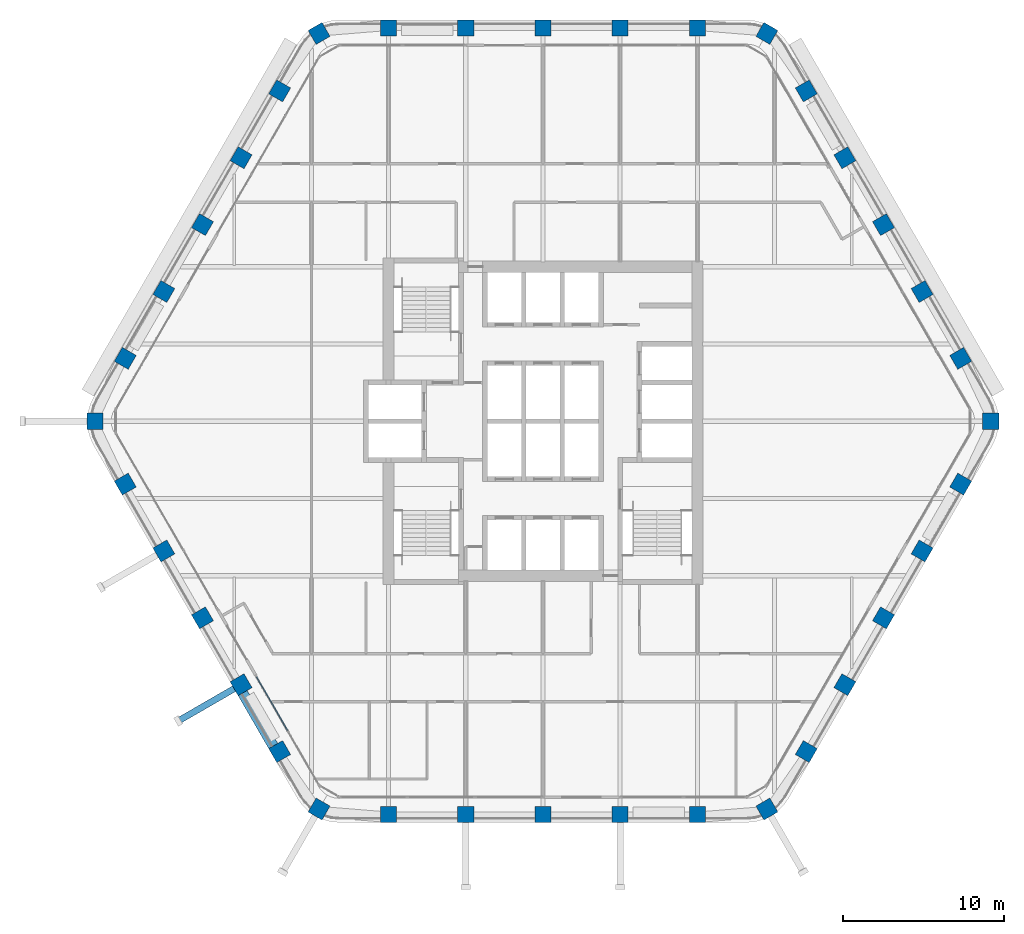
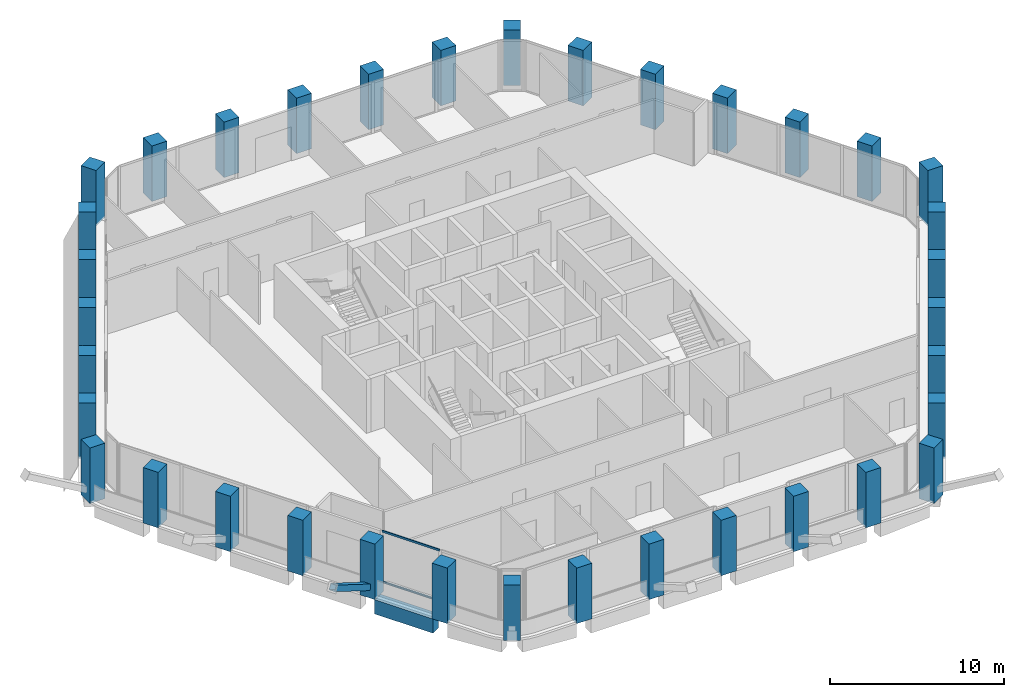
# One storey, part 1 of 16: 36 columns, 3 members, 1 beam, 1 element without a shape of its own.
"""IFC4 building model written with IfcOpenShell, lengths in metres."""

from ifc_helpers import new_model, si_unit, direction, frame, origin, origin_2d, place, context, subcontext, project, spatial, rectangle, hollow_rectangle, extrude, material, material_profile, profile_set, type_object, element, aggregate, save


model = new_model("IFC4")

# Units and contexts
model_context = context("Model", 3, precision=1e-05, world=origin(), true_north=direction((0.0, 1.0)))
body_context = subcontext(model_context, "Body", "Model", "MODEL_VIEW")
ifc_project = project(units=[si_unit("LENGTHUNIT", "METRE"), si_unit("AREAUNIT", "SQUARE_METRE"), si_unit("VOLUMEUNIT", "CUBIC_METRE"), si_unit("PLANEANGLEUNIT", "RADIAN"), si_unit("MASSUNIT", "GRAM", prefix="KILO")], contexts=[model_context])

# Site, building, storey
site_placement = place(None, origin())
site = spatial("IfcSite", under=ifc_project, at=site_placement, CompositionType="ELEMENT")
building_placement = place(site_placement, origin())
building = spatial("IfcBuilding", under=site, at=building_placement, Name="Kolab Exchange Tower", CompositionType="ELEMENT")
storey_placement = place(building_placement, frame((0.0, 0.0, 209.0)))
storey = spatial("IfcBuildingStorey", under=building, at=storey_placement, Name="L45", CompositionType="ELEMENT", Elevation=209.0)

# Columns
ifc_material_1 = material(Name="Concrete C60/75", Category="concrete")
ifc_material_profile_1 = material_profile(ifc_material_1, rectangle(XDim=1.0, YDim=1.0, at=origin_2d()), Name="RC1000")
ifc_profile_set_1 = profile_set([ifc_material_profile_1], Name="Concrete C60/75")
column_type = type_object("IfcColumnType", Name="PERIMETER COLUMN 1000 SQ C60/75", PredefinedType="COLUMN", material=ifc_profile_set_1)
for number, where, z_axis, x_axis, name in (
    (1, (-13.91796875, 24.106689453125, -0.14990234375), (0.0, 0.0, 1.0), (0.866025403784, 0.5, 0.0), "col/L45/F1-01"),
    (2, (-9.60009765625, 24.441650390625, -0.14990234375), (0.0, 0.0, 1.0), (1.0, 0.0, 0.0), "col/L45/F1-02"),
    (3, (-4.800048828125, 24.441650390625, -0.14990234375), (0.0, 0.0, 1.0), (1.0, 0.0, 0.0), "col/L45/F1-03"),
    (4, (0.0, 24.441650390625, -0.14990234375), (0.0, 0.0, 1.0), (1.0, 0.0, 0.0), "col/L45/F1-04"),
    (5, (4.800048828125, 24.441650390625, -0.14990234375), (0.0, 0.0, 1.0), (1.0, 0.0, 0.0), "col/L45/F1-05"),
    (6, (9.60009765625, 24.441650390625, -0.14990234375), (0.0, 0.0, 1.0), (1.0, 0.0, 0.0), "col/L45/F1-06"),
    (7, (13.91796875, 24.106689453125, -0.14990234375), (0.0, 0.0, 1.0), (0.5, 0.866025403784, 0.0), "col/L45/F2-01"),
    (8, (16.366943359375, 20.53466796875, -0.14990234375), (0.0, 0.0, 1.0), (0.866025403784, 0.5, 0.0), "col/L45/F2-02"),
    (9, (18.76708984375, 16.377685546875, -0.14990234375), (0.0, 0.0, 1.0), (0.866025403784, 0.5, 0.0), "col/L45/F2-03"),
    (10, (21.1669921875, 12.220703125, -0.14990234375), (0.0, 0.0, 1.0), (0.866025403784, 0.5, 0.0), "col/L45/F2-04"),
    (11, (23.56689453125, 8.06396484375, -0.14990234375), (0.0, 0.0, 1.0), (0.866025403784, 0.5, 0.0), "col/L45/F2-05"),
    (12, (25.967041015625, 3.906982421875, -0.14990234375), (0.0, 0.0, 1.0), (0.866025403784, 0.5, 0.0), "col/L45/F2-06"),
    (13, (27.8359375, 0.0, -0.14990234375), (0.0, 0.0, 1.0), (1.0, 0.0, 0.0), "col/L45/F3-01"),
    (14, (25.967041015625, -3.906982421875, -0.14990234375), (0.0, 0.0, 1.0), (0.5, 0.866025403784, 0.0), "col/L45/F3-02"),
    (15, (23.56689453125, -8.06396484375, -0.14990234375), (0.0, 0.0, 1.0), (0.5, 0.866025403784, 0.0), "col/L45/F3-03"),
    (16, (21.1669921875, -12.220703125, -0.14990234375), (0.0, 0.0, 1.0), (0.5, 0.866025403784, 0.0), "col/L45/F3-04"),
    (17, (18.76708984375, -16.377685546875, -0.14990234375), (0.0, 0.0, 1.0), (0.5, 0.866025403784, 0.0), "col/L45/F3-05"),
    (18, (16.366943359375, -20.53466796875, -0.14990234375), (0.0, 0.0, 1.0), (0.5, 0.866025403784, 0.0), "col/L45/F3-06"),
    (19, (13.91796875, -24.106689453125, -0.14990234375), (0.0, 0.0, 1.0), (0.866025403784, 0.5, 0.0), "col/L45/F4-01"),
    (20, (9.60009765625, -24.441650390625, -0.14990234375), (0.0, 0.0, 1.0), (1.0, 0.0, 0.0), "col/L45/F4-02"),
    (21, (4.800048828125, -24.441650390625, -0.14990234375), (0.0, 0.0, 1.0), (1.0, 0.0, 0.0), "col/L45/F4-03"),
    (22, (0.0, -24.441650390625, -0.14990234375), (0.0, 0.0, 1.0), (1.0, 0.0, 0.0), "col/L45/F4-04"),
    (23, (-4.800048828125, -24.441650390625, -0.14990234375), (0.0, 0.0, 1.0), (1.0, 0.0, 0.0), "col/L45/F4-05"),
    (24, (-9.60009765625, -24.441650390625, -0.14990234375), (0.0, 0.0, 1.0), (1.0, 0.0, 0.0), "col/L45/F4-06"),
    (25, (-13.91796875, -24.106689453125, -0.14990234375), (0.0, 0.0, 1.0), (0.5, 0.866025403784, 0.0), "col/L45/F5-01"),
    (26, (-16.366943359375, -20.53466796875, -0.14990234375), (0.0, 0.0, 1.0), (0.866025403784, 0.5, 0.0), "col/L45/F5-02"),
    (27, (-18.76708984375, -16.377685546875, -0.14990234375), (0.0, 0.0, 1.0), (0.866025403784, 0.5, 0.0), "col/L45/F5-03"),
    (28, (-21.1669921875, -12.220703125, -0.14990234375), (0.0, 0.0, 1.0), (0.866025403784, 0.5, 0.0), "col/L45/F5-04"),
    (29, (-23.56689453125, -8.06396484375, -0.14990234375), (0.0, 0.0, 1.0), (0.866025403784, 0.5, 0.0), "col/L45/F5-05"),
    (30, (-25.967041015625, -3.906982421875, -0.14990234375), (0.0, 0.0, 1.0), (0.866025403784, 0.5, 0.0), "col/L45/F5-06"),
    (31, (-27.8359375, 0.0, -0.14990234375), (0.0, 0.0, 1.0), (1.0, 0.0, 0.0), "col/L45/F6-01"),
    (32, (-25.967041015625, 3.906982421875, -0.14990234375), (0.0, 0.0, 1.0), (0.5, 0.866025403784, 0.0), "col/L45/F6-02"),
    (33, (-23.56689453125, 8.06396484375, -0.14990234375), (0.0, 0.0, 1.0), (0.5, 0.866025403784, 0.0), "col/L45/F6-03"),
    (34, (-21.1669921875, 12.220703125, -0.14990234375), (0.0, 0.0, 1.0), (0.5, 0.866025403784, 0.0), "col/L45/F6-04"),
    (35, (-18.76708984375, 16.377685546875, -0.14990234375), (0.0, 0.0, 1.0), (0.5, 0.866025403784, 0.0), "col/L45/F6-05"),
    (36, (-16.366943359375, 20.53466796875, -0.14990234375), (0.0, 0.0, 1.0), (0.5, 0.866025403784, 0.0), "col/L45/F6-06"),
):
    element("IfcColumn", number, at=place(storey_placement, frame(where, z_axis=z_axis, x_axis=x_axis)), inside=storey, type_object=column_type, Name=name, PredefinedType="COLUMN", context=body_context, shape_type="SweptSolid", body=[
        extrude(rectangle(XDim=1.0, YDim=1.0, at=origin_2d()), origin(), (0.0, 0.0, 1.0), 3.89990234375),
    ])

# Member
ifc_material_2 = material(Name="Steel S355", Category="steel")
ifc_material_profile_2 = material_profile(ifc_material_2, hollow_rectangle(XDim=0.39990234375, YDim=0.39990234375, WallThickness=0.02001953125, at=origin_2d()), Name="HSS400X400X20")
ifc_profile_set_2 = profile_set([ifc_material_profile_2], Name="Steel S355")
member_type_1 = type_object("IfcMemberType", Name="LEDGE STRUT HSS400X400X20", PredefinedType="STRUT", material=ifc_profile_set_2)
member_1_placement = place(storey_placement, frame((-19.165283203125, -16.607666015625, 0.60009765625), z_axis=(-0.74714919009, -0.431366436313, 0.505659060406), x_axis=(0.499999695987, -0.866025579307, 0.0)))
element("IfcMember", 37, at=member_1_placement, inside=storey, type_object=member_type_1, Name="mem/L45/ledge/strut-4", PredefinedType="STRUT", context=body_context, shape_type="SweptSolid", body=[
    extrude(hollow_rectangle(XDim=0.39990234375, YDim=0.39990234375, WallThickness=0.02001953125, at=origin_2d()), origin(), (0.0, 0.0, 1.0), 4.682861328125),
])

# Beam
ifc_material_profile_3 = material_profile(ifc_material_1, rectangle(XDim=0.64990234375, YDim=1.0, at=origin_2d()), Name="RC650X1000")
ifc_profile_set_3 = profile_set([ifc_material_profile_3], Name="Concrete C60/75")
beam_type = type_object("IfcBeamType", Name="SPANDREL BEAM 650X1000 C60/75", PredefinedType="BEAM", material=ifc_profile_set_3)
beam_placement = place(storey_placement, frame((-16.74853515625, -20.2236328125, -0.64990234375), z_axis=(-0.499996613652, 0.866027358884, 0.0), x_axis=(-0.866027358884, -0.499996613652, 0.0)))
element("IfcBeam", 38, at=beam_placement, inside=storey, type_object=beam_type, Name="beam/L45/sp/F5-02", PredefinedType="BEAM", context=body_context, shape_type="SweptSolid", body=[
    extrude(rectangle(XDim=0.64990234375, YDim=1.0, at=origin_2d()), origin(), (0.0, 0.0, 1.0), 3.8798828125),
])

# Curtain wall, members
ifc_material_3 = material(Name="Aluminium EN AW-6063 T6", Category="aluminium")
curtain_wall_type = type_object("IfcCurtainWallType", Name="UNITISED UPPER MID ZONE CURTAIN WALL", PredefinedType="NOTDEFINED", material=ifc_material_3)
curtain_wall_placement = place(storey_placement, origin())
curtain_wall = element("IfcCurtainWall", 39, at=curtain_wall_placement, inside=storey, type_object=curtain_wall_type, Name="cw/L45/F5-1", PredefinedType="NOTDEFINED")
ifc_material_profile_4 = material_profile(ifc_material_3, rectangle(XDim=0.06005859375, YDim=0.139892578125, at=origin_2d()), Name="RECT 60X140")
ifc_profile_set_4 = profile_set([ifc_material_profile_4], Name="Aluminium EN AW-6063 T6")
member_type_2 = type_object("IfcMemberType", Name="UNITISED UPPER MID ZONE TRANSOM 60 X 140", PredefinedType="USERDEFINED", material=ifc_profile_set_4)
member_2_placement = place(storey_placement, frame((-15.879638671875, -19.21875, 0.030029296875), z_axis=(-0.500011990396, 0.866018481016, 0.0), x_axis=(-0.866018481016, -0.500011990396, 0.0)))
member_2 = element("IfcMember", 40, at=member_2_placement, type_object=member_type_2, Name="CW3 transom 2.1", ObjectType="TRANSOM", PredefinedType="USERDEFINED", context=body_context, shape_type="SweptSolid", body=[
    extrude(rectangle(XDim=0.06005859375, YDim=0.139892578125, at=origin_2d()), origin(), (0.0, 0.0, 1.0), 3.84423828125),
])
member_3_placement = place(storey_placement, frame((-15.879638671875, -19.21875, 3.570068359375), z_axis=(-0.500011990396, 0.866018481016, 0.0), x_axis=(-0.866018481016, -0.500011990396, 0.0)))
member_3 = element("IfcMember", 41, at=member_3_placement, type_object=member_type_2, Name="CW3 transom 2.2", ObjectType="TRANSOM", PredefinedType="USERDEFINED", context=body_context, shape_type="SweptSolid", body=[
    extrude(rectangle(XDim=0.06005859375, YDim=0.139892578125, at=origin_2d()), origin(), (0.0, 0.0, 1.0), 3.84423828125),
])
aggregate(curtain_wall, [member_2, member_3])

save(model, "model.ifc")
